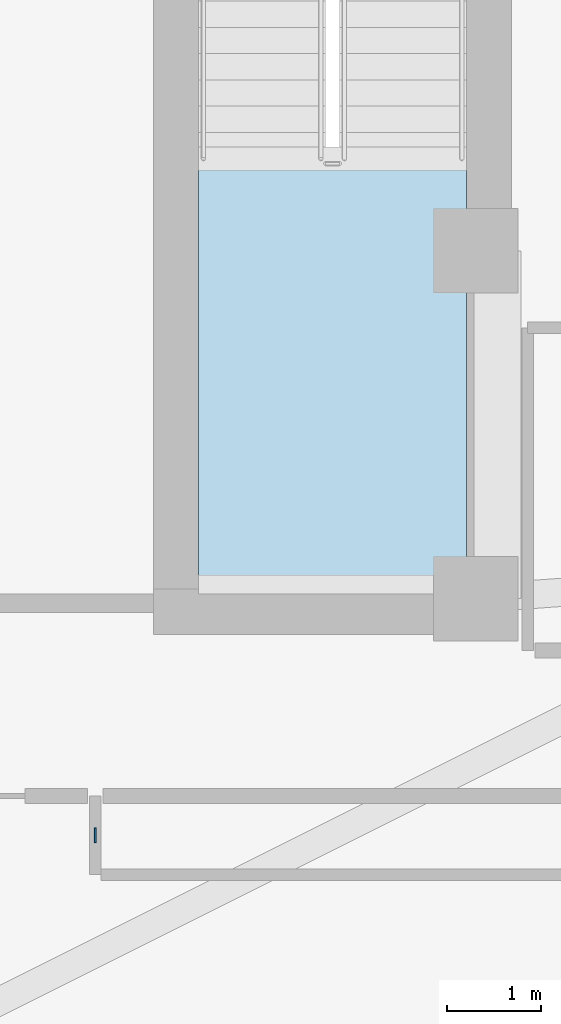
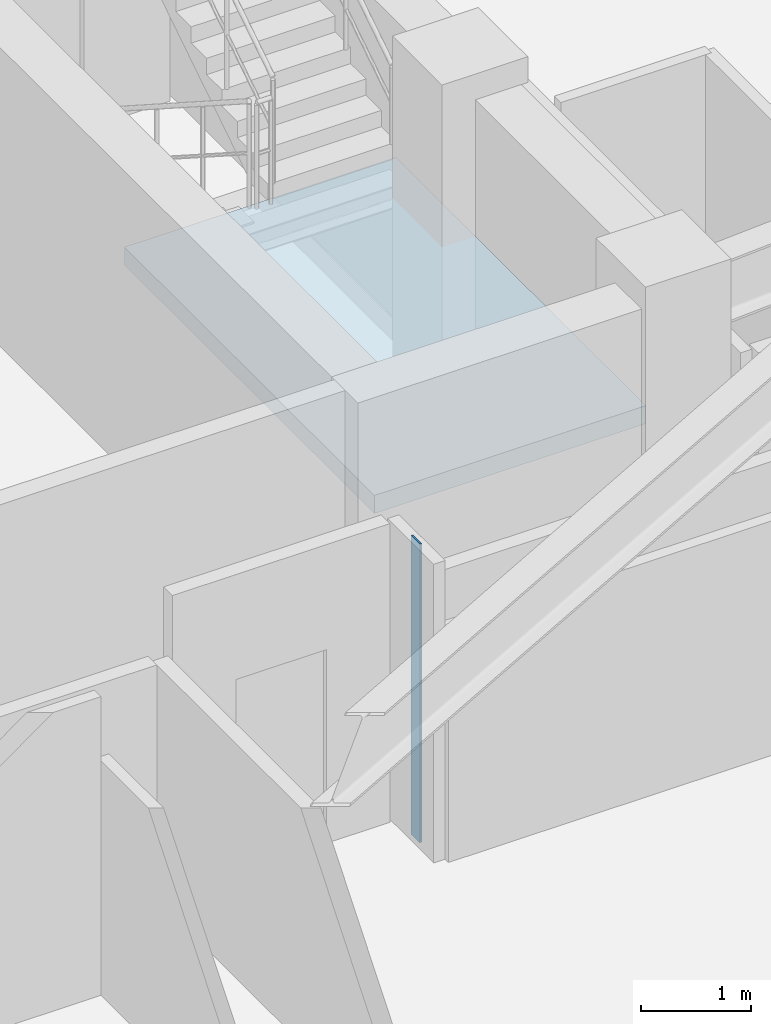
# One storey, part 2 of 12: 1 plate, 1 slab, 1 element without a shape of its own.
"""IFC4 building model written with IfcOpenShell, lengths in metres."""

from ifc_helpers import new_model, si_unit, direction, frame, origin, origin_2d, place, context, subcontext, project, spatial, polyline, rectangle, outline, extrude, material, layer, layer_set, type_object, element, aggregate, save


model = new_model("IFC4")

# Units and contexts
model_context = context("Model", 3, precision=1e-05, world=origin(), true_north=direction((0.0, 1.0)))
body_context = subcontext(model_context, "Body", "Model", "MODEL_VIEW")
ifc_project = project(units=[si_unit("LENGTHUNIT", "METRE"), si_unit("AREAUNIT", "SQUARE_METRE"), si_unit("VOLUMEUNIT", "CUBIC_METRE"), si_unit("PLANEANGLEUNIT", "RADIAN"), si_unit("MASSUNIT", "GRAM", prefix="KILO")], contexts=[model_context])

# Site, building, storey
site_placement = place(None, origin())
site = spatial("IfcSite", under=ifc_project, at=site_placement, CompositionType="ELEMENT")
building_placement = place(site_placement, origin())
building = spatial("IfcBuilding", under=site, at=building_placement, Name="Miruveldt Soraemaru", CompositionType="ELEMENT")
storey_placement = place(building_placement, frame((0.0, 0.0, 248.39990234375)))
storey = spatial("IfcBuildingStorey", under=building, at=storey_placement, Name="L68", CompositionType="ELEMENT", Elevation=248.39990234375)

# Plate
ifc_material_1 = material(Name="Anodised aluminium EN AW-6063 T6", Category="aluminium")
ifc_layer_1 = layer(ifc_material_1, 0.02001953125, Name="Anodised aluminium EN AW-6063 T6", Category="aluminium")
ifc_layer_set_1 = layer_set([ifc_layer_1], Name="Anodised aluminium EN AW-6063 T6")
plate_type = type_object("IfcPlateType", Name="PLT-PART-TRIM", PredefinedType="SHEET", material=ifc_layer_set_1)
plate_placement = place(storey_placement, frame((48.449951171875, 32.98095703125, 0.000244140625), z_axis=(0.0, 0.0, 1.0), x_axis=(0.0, 1.0, 0.0)))
element("IfcPlate", 1, at=plate_placement, inside=storey, type_object=plate_type, Name="L68 Partition Step Corner Trim Plate 049", PredefinedType="SHEET", context=body_context, shape_type="SweptSolid", body=[
    extrude(rectangle(XDim=0.159912109375, YDim=0.02001953125, at=origin_2d()), origin(), (0.0, 0.0, 1.0), 3.31494140625),
])

# Stair, slab
ifc_material_2 = material(Name="Concrete C40/50 (40 MPa)", Category="concrete")
stair_type = type_object("IfcStairType", Name="STAIR-DL-360", PredefinedType="HALF_TURN_STAIR", material=ifc_material_2)
stair_placement = place(storey_placement, origin())
stair = element("IfcStair", 2, at=stair_placement, inside=storey, type_object=stair_type, Name="L68 Protected Exit Stair ST-2", PredefinedType="HALF_TURN_STAIR")
ifc_layer_2 = layer(ifc_material_2, 0.199951171875, Name="Concrete C40/50 (40 MPa)", Category="concrete")
ifc_layer_set_2 = layer_set([ifc_layer_2], Name="Concrete C40/50 (40 MPa)")
slab_type = type_object("IfcSlabType", Name="SLAB-LAND-200", PredefinedType="LANDING", material=ifc_layer_set_2)
slab_placement = place(storey_placement, frame((0.0, 0.0, 1.60009765625)))
slab = element("IfcSlab", 3, at=slab_placement, type_object=slab_type, Name="ST-2 landing 1", PredefinedType="LANDING", context=body_context, shape_type="SweptSolid", body=[
    extrude(outline(polyline([(49.550048828125, 40.197998046875), (49.550048828125, 35.64990234375), (52.39990234375, 35.64990234375), (52.39990234375, 40.197998046875), (49.550048828125, 40.197998046875)])), origin(), (0.0, 0.0, 1.0), 0.199951171875),
])
aggregate(stair, [slab])

save(model, "model.ifc")
